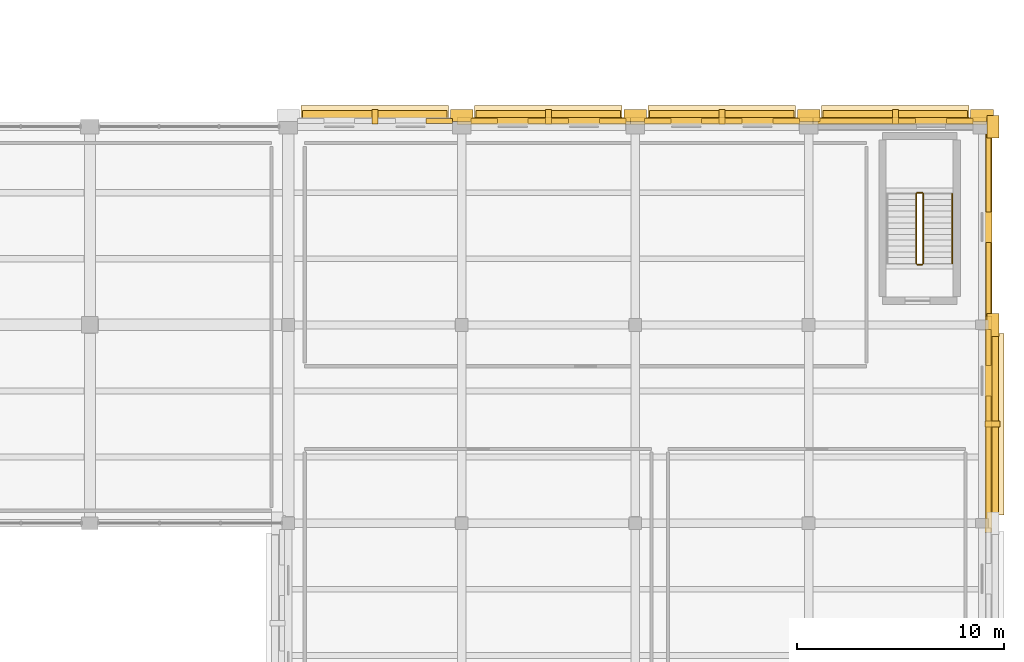
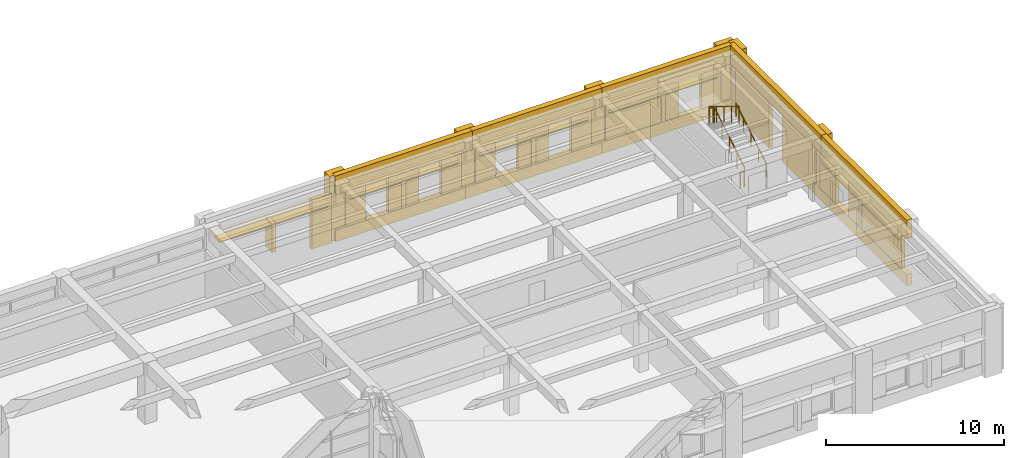
# One storey, part 49 of 49: 38 coverings, 5 railings, 5 shading devices.
"""IFC4 building model written with IfcOpenShell, lengths in metres."""

from ifc_helpers import new_model, si_unit, direction, frame, origin, origin_2d, place, context, subcontext, project, spatial, rectangle, circle, extrude, material, layer, layer_set, type_object, element, save


model = new_model("IFC4")

# Units and contexts
model_context = context("Model", 3, precision=1e-05, world=origin(), true_north=direction((0.0, 1.0)))
body_context = subcontext(model_context, "Body", "Model", "MODEL_VIEW")
ifc_project = project(units=[si_unit("LENGTHUNIT", "METRE"), si_unit("AREAUNIT", "SQUARE_METRE"), si_unit("VOLUMEUNIT", "CUBIC_METRE"), si_unit("PLANEANGLEUNIT", "RADIAN"), si_unit("MASSUNIT", "GRAM", prefix="KILO")], contexts=[model_context])

# Site, building, storey
site_placement = place(None, origin())
site = spatial("IfcSite", under=ifc_project, at=site_placement, CompositionType="ELEMENT")
building_placement = place(site_placement, origin())
building = spatial("IfcBuilding", under=site, at=building_placement, Name="Bempovik Park Faculty of Sciences", CompositionType="ELEMENT")
storey_placement = place(building_placement, frame((0.0, 0.0, 5.39990234375)))
storey = spatial("IfcBuildingStorey", under=building, at=storey_placement, Name="L01", CompositionType="ELEMENT", Elevation=5.39990234375)

# Coverings
ifc_material_1 = material(Name="Precast concrete C40/50", Category="concrete")
ifc_layer_1 = layer(ifc_material_1, 0.179931640625)
ifc_layer_set_1 = layer_set([ifc_layer_1], Name="Precast concrete C40/50")
covering_type_1 = type_object("IfcCoveringType", Name="CL-02 Classical Cornice Band 180mm", PredefinedType="CLADDING", material=ifc_layer_set_1)
for number, where, z_axis, x_axis, name in (
    (1, (141.0, 87.570068359375, 2.6103515625), (0.0, 0.0, 1.0), (1.0, 0.0, 0.0), "L01 Classical Stone Solar Window Hood EW-L01-6810"),
    (2, (149.39990234375, 87.570068359375, 2.6103515625), (0.0, 0.0, 1.0), (1.0, 0.0, 0.0), "L01 Classical Stone Solar Window Hood EW-L01-6823"),
    (3, (157.800048828125, 87.570068359375, 2.6103515625), (0.0, 0.0, 1.0), (1.0, 0.0, 0.0), "L01 Classical Stone Solar Window Hood EW-L01-6835"),
    (4, (166.199951171875, 87.570068359375, 2.6103515625), (0.0, 0.0, 1.0), (1.0, 0.0, 0.0), "L01 Classical Stone Solar Window Hood EW-L01-6847"),
):
    element("IfcCovering", number, at=place(storey_placement, frame(where, z_axis=z_axis, x_axis=x_axis)), inside=storey, type_object=covering_type_1, Name=name, PredefinedType="CLADDING", context=body_context, shape_type="SweptSolid", body=[
        extrude(rectangle(XDim=7.14599609375, YDim=0.919921875, at=origin_2d()), origin(), (0.0, 0.0, 1.0), 0.219970703125),
    ])
covering_1_placement = place(storey_placement, frame((171.0, 72.60009765625, 2.6103515625), z_axis=(0.0, 0.0, 1.0), x_axis=(1.0, 0.0, 0.0)))
element("IfcCovering", 5, at=covering_1_placement, inside=storey, type_object=covering_type_1, Name="L01 Classical Stone Solar Window Hood EW-L01-6870", PredefinedType="CLADDING", context=body_context, shape_type="SweptSolid", body=[
    extrude(rectangle(XDim=0.919921875, YDim=8.785888671875, at=origin_2d()), origin(), (0.0, 0.0, 1.0), 0.219970703125),
])
ifc_material_2 = material(Name="White reconstituted limestone precast C40/50", Category="masonry")
ifc_layer_2 = layer(ifc_material_2, 0.239990234375)
ifc_layer_set_2 = layer_set([ifc_layer_2], Name="White reconstituted limestone precast C40/50")
covering_type_2 = type_object("IfcCoveringType", Name="CL-03 Classical Fluted Limestone Pilaster 240mm", PredefinedType="CLADDING", material=ifc_layer_set_2)
covering_2_placement = place(storey_placement, frame((145.199951171875, 87.530029296875, 0.0), z_axis=(0.0, 0.0, 1.0), x_axis=(1.0, 0.0, 0.0)))
element("IfcCovering", 6, at=covering_2_placement, inside=storey, type_object=covering_type_2, Name="L01 Classical Fluted Stone Pilaster PIL-BA-L01-1452-875", PredefinedType="CLADDING", context=body_context, shape_type="SweptSolid", body=[
    extrude(rectangle(XDim=1.10009765625, YDim=0.580078125, at=origin_2d()), origin(), (0.0, 0.0, 1.0), 4.5),
])
covering_3_placement = place(storey_placement, frame((144.106201171875, 87.27001953125, 0.000244140625), z_axis=(0.0, 0.0, 1.0), x_axis=(1.0, 0.0, 0.0)))
element("IfcCovering", 7, at=covering_3_placement, inside=storey, type_object=covering_type_2, Name="L01 White Limestone Wall Cheek EW-L01-6810-4", PredefinedType="CLADDING", context=body_context, shape_type="SweptSolid", body=[
    extrude(rectangle(XDim=1.283935546875, YDim=0.239990234375, at=origin_2d()), origin(), (0.0, 0.0, 1.0), 3.3798828125),
])
covering_4_placement = place(storey_placement, frame((141.0, 87.47998046875, 0.7001953125), z_axis=(0.0, 0.0, 1.0), x_axis=(1.0, 0.0, 0.0)))
element("IfcCovering", 8, at=covering_4_placement, inside=storey, type_object=covering_type_2, Name="L01 Classical Vertical Stone Shading Fin EW-L01-6810", PredefinedType="CLADDING", context=body_context, shape_type="SweptSolid", body=[
    extrude(rectangle(XDim=0.280029296875, YDim=0.719970703125, at=origin_2d()), origin(), (0.0, 0.0, 1.0), 1.949951171875),
])
covering_5_placement = place(storey_placement, frame((149.39990234375, 87.280029296875, 3.22021484375), z_axis=(0.0, 0.0, 1.0), x_axis=(1.0, 0.0, 0.0)))
element("IfcCovering", 9, at=covering_5_placement, inside=storey, type_object=covering_type_2, Name="L01 Classical Limestone Spandrel Entablature EW-L01-6823", PredefinedType="CLADDING", context=body_context, shape_type="SweptSolid", body=[
    extrude(rectangle(XDim=8.845947265625, YDim=0.340087890625, at=origin_2d()), origin(), (0.0, 0.0, 1.0), 1.280029296875),
])
covering_6_placement = place(storey_placement, frame((149.39990234375, 87.280029296875, 0.0), z_axis=(0.0, 0.0, 1.0), x_axis=(1.0, 0.0, 0.0)))
element("IfcCovering", 10, at=covering_6_placement, inside=storey, type_object=covering_type_2, Name="L01 Classical Limestone Sill Dado EW-L01-6823", PredefinedType="CLADDING", context=body_context, shape_type="SweptSolid", body=[
    extrude(rectangle(XDim=8.845947265625, YDim=0.340087890625, at=origin_2d()), origin(), (0.0, 0.0, 1.0), 0.780029296875),
])
covering_7_placement = place(storey_placement, frame((153.60009765625, 87.530029296875, 0.0), z_axis=(0.0, 0.0, 1.0), x_axis=(1.0, 0.0, 0.0)))
element("IfcCovering", 11, at=covering_7_placement, inside=storey, type_object=covering_type_2, Name="L01 Classical Fluted Stone Pilaster PIL-BA-L01-1536-875", PredefinedType="CLADDING", context=body_context, shape_type="SweptSolid", body=[
    extrude(rectangle(XDim=1.10009765625, YDim=0.580078125, at=origin_2d()), origin(), (0.0, 0.0, 1.0), 4.5),
])
covering_8_placement = place(storey_placement, frame((146.2939453125, 87.27001953125, 0.000244140625), z_axis=(0.0, 0.0, 1.0), x_axis=(1.0, 0.0, 0.0)))
element("IfcCovering", 12, at=covering_8_placement, inside=storey, type_object=covering_type_2, Name="L01 White Limestone Wall Cheek EW-L01-6823-0", PredefinedType="CLADDING", context=body_context, shape_type="SweptSolid", body=[
    extrude(rectangle(XDim=1.283935546875, YDim=0.239990234375, at=origin_2d()), origin(), (0.0, 0.0, 1.0), 3.3798828125),
])
covering_9_placement = place(storey_placement, frame((149.39990234375, 87.27001953125, 0.000244140625), z_axis=(0.0, 0.0, 1.0), x_axis=(1.0, 0.0, 0.0)))
element("IfcCovering", 13, at=covering_9_placement, inside=storey, type_object=covering_type_2, Name="L01 White Limestone Wall Cheek EW-L01-6823-2", PredefinedType="CLADDING", context=body_context, shape_type="SweptSolid", body=[
    extrude(rectangle(XDim=1.96826171875, YDim=0.239990234375, at=origin_2d()), origin(), (0.0, 0.0, 1.0), 3.3798828125),
])
covering_10_placement = place(storey_placement, frame((152.506103515625, 87.27001953125, 0.000244140625), z_axis=(0.0, 0.0, 1.0), x_axis=(1.0, 0.0, 0.0)))
element("IfcCovering", 14, at=covering_10_placement, inside=storey, type_object=covering_type_2, Name="L01 White Limestone Wall Cheek EW-L01-6823-4", PredefinedType="CLADDING", context=body_context, shape_type="SweptSolid", body=[
    extrude(rectangle(XDim=1.283935546875, YDim=0.239990234375, at=origin_2d()), origin(), (0.0, 0.0, 1.0), 3.3798828125),
])
covering_11_placement = place(storey_placement, frame((149.39990234375, 87.47998046875, 0.7001953125), z_axis=(0.0, 0.0, 1.0), x_axis=(1.0, 0.0, 0.0)))
element("IfcCovering", 15, at=covering_11_placement, inside=storey, type_object=covering_type_2, Name="L01 Classical Vertical Stone Shading Fin EW-L01-6823", PredefinedType="CLADDING", context=body_context, shape_type="SweptSolid", body=[
    extrude(rectangle(XDim=0.280029296875, YDim=0.719970703125, at=origin_2d()), origin(), (0.0, 0.0, 1.0), 1.949951171875),
])
covering_12_placement = place(storey_placement, frame((157.800048828125, 87.280029296875, 3.22021484375), z_axis=(0.0, 0.0, 1.0), x_axis=(1.0, 0.0, 0.0)))
element("IfcCovering", 16, at=covering_12_placement, inside=storey, type_object=covering_type_2, Name="L01 Classical Limestone Spandrel Entablature EW-L01-6835", PredefinedType="CLADDING", context=body_context, shape_type="SweptSolid", body=[
    extrude(rectangle(XDim=8.845947265625, YDim=0.340087890625, at=origin_2d()), origin(), (0.0, 0.0, 1.0), 1.280029296875),
])
covering_13_placement = place(storey_placement, frame((157.800048828125, 87.280029296875, 0.0), z_axis=(0.0, 0.0, 1.0), x_axis=(1.0, 0.0, 0.0)))
element("IfcCovering", 17, at=covering_13_placement, inside=storey, type_object=covering_type_2, Name="L01 Classical Limestone Sill Dado EW-L01-6835", PredefinedType="CLADDING", context=body_context, shape_type="SweptSolid", body=[
    extrude(rectangle(XDim=8.845947265625, YDim=0.340087890625, at=origin_2d()), origin(), (0.0, 0.0, 1.0), 0.780029296875),
])
covering_14_placement = place(storey_placement, frame((162.0, 87.530029296875, 0.0), z_axis=(0.0, 0.0, 1.0), x_axis=(1.0, 0.0, 0.0)))
element("IfcCovering", 18, at=covering_14_placement, inside=storey, type_object=covering_type_2, Name="L01 Classical Fluted Stone Pilaster PIL-BA-L01-1620-875", PredefinedType="CLADDING", context=body_context, shape_type="SweptSolid", body=[
    extrude(rectangle(XDim=1.10009765625, YDim=0.580078125, at=origin_2d()), origin(), (0.0, 0.0, 1.0), 4.5),
])
covering_15_placement = place(storey_placement, frame((154.694091796875, 87.27001953125, 0.000244140625), z_axis=(0.0, 0.0, 1.0), x_axis=(1.0, 0.0, 0.0)))
element("IfcCovering", 19, at=covering_15_placement, inside=storey, type_object=covering_type_2, Name="L01 White Limestone Wall Cheek EW-L01-6835-0", PredefinedType="CLADDING", context=body_context, shape_type="SweptSolid", body=[
    extrude(rectangle(XDim=1.283935546875, YDim=0.239990234375, at=origin_2d()), origin(), (0.0, 0.0, 1.0), 3.3798828125),
])
covering_16_placement = place(storey_placement, frame((157.800048828125, 87.27001953125, 0.000244140625), z_axis=(0.0, 0.0, 1.0), x_axis=(1.0, 0.0, 0.0)))
element("IfcCovering", 20, at=covering_16_placement, inside=storey, type_object=covering_type_2, Name="L01 White Limestone Wall Cheek EW-L01-6835-2", PredefinedType="CLADDING", context=body_context, shape_type="SweptSolid", body=[
    extrude(rectangle(XDim=1.96826171875, YDim=0.239990234375, at=origin_2d()), origin(), (0.0, 0.0, 1.0), 3.3798828125),
])
covering_17_placement = place(storey_placement, frame((160.906005859375, 87.27001953125, 0.000244140625), z_axis=(0.0, 0.0, 1.0), x_axis=(1.0, 0.0, 0.0)))
element("IfcCovering", 21, at=covering_17_placement, inside=storey, type_object=covering_type_2, Name="L01 White Limestone Wall Cheek EW-L01-6835-4", PredefinedType="CLADDING", context=body_context, shape_type="SweptSolid", body=[
    extrude(rectangle(XDim=1.283935546875, YDim=0.239990234375, at=origin_2d()), origin(), (0.0, 0.0, 1.0), 3.3798828125),
])
covering_18_placement = place(storey_placement, frame((157.800048828125, 87.47998046875, 0.7001953125), z_axis=(0.0, 0.0, 1.0), x_axis=(1.0, 0.0, 0.0)))
element("IfcCovering", 22, at=covering_18_placement, inside=storey, type_object=covering_type_2, Name="L01 Classical Vertical Stone Shading Fin EW-L01-6835", PredefinedType="CLADDING", context=body_context, shape_type="SweptSolid", body=[
    extrude(rectangle(XDim=0.280029296875, YDim=0.719970703125, at=origin_2d()), origin(), (0.0, 0.0, 1.0), 1.949951171875),
])
covering_19_placement = place(storey_placement, frame((166.199951171875, 87.280029296875, 3.22021484375), z_axis=(0.0, 0.0, 1.0), x_axis=(1.0, 0.0, 0.0)))
element("IfcCovering", 23, at=covering_19_placement, inside=storey, type_object=covering_type_2, Name="L01 Classical Limestone Spandrel Entablature EW-L01-6847", PredefinedType="CLADDING", context=body_context, shape_type="SweptSolid", body=[
    extrude(rectangle(XDim=8.845947265625, YDim=0.340087890625, at=origin_2d()), origin(), (0.0, 0.0, 1.0), 1.280029296875),
])
covering_20_placement = place(storey_placement, frame((166.199951171875, 87.280029296875, 0.0), z_axis=(0.0, 0.0, 1.0), x_axis=(1.0, 0.0, 0.0)))
element("IfcCovering", 24, at=covering_20_placement, inside=storey, type_object=covering_type_2, Name="L01 Classical Limestone Sill Dado EW-L01-6847", PredefinedType="CLADDING", context=body_context, shape_type="SweptSolid", body=[
    extrude(rectangle(XDim=8.845947265625, YDim=0.340087890625, at=origin_2d()), origin(), (0.0, 0.0, 1.0), 0.780029296875),
])
covering_21_placement = place(storey_placement, frame((170.39990234375, 87.530029296875, 0.0), z_axis=(0.0, 0.0, 1.0), x_axis=(1.0, 0.0, 0.0)))
element("IfcCovering", 25, at=covering_21_placement, inside=storey, type_object=covering_type_2, Name="L01 Classical Fluted Stone Pilaster PIL-BA-L01-1704-875", PredefinedType="CLADDING", context=body_context, shape_type="SweptSolid", body=[
    extrude(rectangle(XDim=1.10009765625, YDim=0.580078125, at=origin_2d()), origin(), (0.0, 0.0, 1.0), 4.5),
])
covering_22_placement = place(storey_placement, frame((164.818115234375, 87.27001953125, 0.000244140625), z_axis=(0.0, 0.0, 1.0), x_axis=(1.0, 0.0, 0.0)))
element("IfcCovering", 26, at=covering_22_placement, inside=storey, type_object=covering_type_2, Name="L01 White Limestone Wall Cheek EW-L01-6847-0", PredefinedType="CLADDING", context=body_context, shape_type="SweptSolid", body=[
    extrude(rectangle(XDim=4.732177734375, YDim=0.239990234375, at=origin_2d()), origin(), (0.0, 0.0, 1.0), 3.3798828125),
])
covering_23_placement = place(storey_placement, frame((169.305908203125, 87.27001953125, 0.000244140625), z_axis=(0.0, 0.0, 1.0), x_axis=(1.0, 0.0, 0.0)))
element("IfcCovering", 27, at=covering_23_placement, inside=storey, type_object=covering_type_2, Name="L01 White Limestone Wall Cheek EW-L01-6847-2", PredefinedType="CLADDING", context=body_context, shape_type="SweptSolid", body=[
    extrude(rectangle(XDim=1.283935546875, YDim=0.239990234375, at=origin_2d()), origin(), (0.0, 0.0, 1.0), 3.3798828125),
])
covering_24_placement = place(storey_placement, frame((166.199951171875, 87.47998046875, 0.7001953125), z_axis=(0.0, 0.0, 1.0), x_axis=(1.0, 0.0, 0.0)))
element("IfcCovering", 28, at=covering_24_placement, inside=storey, type_object=covering_type_2, Name="L01 Classical Vertical Stone Shading Fin EW-L01-6847", PredefinedType="CLADDING", context=body_context, shape_type="SweptSolid", body=[
    extrude(rectangle(XDim=0.280029296875, YDim=0.719970703125, at=origin_2d()), origin(), (0.0, 0.0, 1.0), 1.949951171875),
])
covering_25_placement = place(storey_placement, frame((170.7099609375, 72.60009765625, 3.22021484375), z_axis=(0.0, 0.0, 1.0), x_axis=(1.0, 0.0, 0.0)))
element("IfcCovering", 29, at=covering_25_placement, inside=storey, type_object=covering_type_2, Name="L01 Classical Limestone Spandrel Entablature EW-L01-6870", PredefinedType="CLADDING", context=body_context, shape_type="SweptSolid", body=[
    extrude(rectangle(XDim=0.340087890625, YDim=10.486083984375, at=origin_2d()), origin(), (0.0, 0.0, 1.0), 1.280029296875),
])
covering_26_placement = place(storey_placement, frame((170.7099609375, 72.60009765625, 0.0), z_axis=(0.0, 0.0, 1.0), x_axis=(1.0, 0.0, 0.0)))
element("IfcCovering", 30, at=covering_26_placement, inside=storey, type_object=covering_type_2, Name="L01 Classical Limestone Sill Dado EW-L01-6870", PredefinedType="CLADDING", context=body_context, shape_type="SweptSolid", body=[
    extrude(rectangle(XDim=0.340087890625, YDim=10.486083984375, at=origin_2d()), origin(), (0.0, 0.0, 1.0), 0.780029296875),
])
covering_27_placement = place(storey_placement, frame((170.929931640625, 77.39990234375, 0.0), z_axis=(0.0, 0.0, 1.0), x_axis=(1.0, 0.0, 0.0)))
element("IfcCovering", 31, at=covering_27_placement, inside=storey, type_object=covering_type_2, Name="L01 Classical Fluted Stone Pilaster PIL-BA-L01-1709-774", PredefinedType="CLADDING", context=body_context, shape_type="SweptSolid", body=[
    extrude(rectangle(XDim=0.580078125, YDim=1.10009765625, at=origin_2d()), origin(), (0.0, 0.0, 1.0), 4.5),
])
covering_28_placement = place(storey_placement, frame((170.699951171875, 70.99658203125, 0.000244140625), z_axis=(0.0, 0.0, 1.0), x_axis=(1.0, 0.0, 0.0)))
element("IfcCovering", 32, at=covering_28_placement, inside=storey, type_object=covering_type_2, Name="L01 White Limestone Wall Cheek EW-L01-6870-0", PredefinedType="CLADDING", context=body_context, shape_type="SweptSolid", body=[
    extrude(rectangle(XDim=0.239990234375, YDim=5.92919921875, at=origin_2d()), origin(), (0.0, 0.0, 1.0), 3.3798828125),
])
covering_29_placement = place(storey_placement, frame((170.699951171875, 76.3046875, 0.000244140625), z_axis=(0.0, 0.0, 1.0), x_axis=(1.0, 0.0, 0.0)))
element("IfcCovering", 33, at=covering_29_placement, inside=storey, type_object=covering_type_2, Name="L01 White Limestone Wall Cheek EW-L01-6870-2", PredefinedType="CLADDING", context=body_context, shape_type="SweptSolid", body=[
    extrude(rectangle(XDim=0.239990234375, YDim=1.726806640625, at=origin_2d()), origin(), (0.0, 0.0, 1.0), 3.3798828125),
])
covering_30_placement = place(storey_placement, frame((170.909912109375, 72.60009765625, 0.7001953125), z_axis=(0.0, 0.0, 1.0), x_axis=(1.0, 0.0, 0.0)))
element("IfcCovering", 34, at=covering_30_placement, inside=storey, type_object=covering_type_2, Name="L01 Classical Vertical Stone Shading Fin EW-L01-6870", PredefinedType="CLADDING", context=body_context, shape_type="SweptSolid", body=[
    extrude(rectangle(XDim=0.719970703125, YDim=0.280029296875, at=origin_2d()), origin(), (0.0, 0.0, 1.0), 1.949951171875),
])
covering_31_placement = place(storey_placement, frame((170.7099609375, 82.139892578125, 3.22021484375), z_axis=(0.0, 0.0, 1.0), x_axis=(1.0, 0.0, 0.0)))
element("IfcCovering", 35, at=covering_31_placement, inside=storey, type_object=covering_type_2, Name="L01 Classical Limestone Spandrel Entablature EW-L01-6880", PredefinedType="CLADDING", context=body_context, shape_type="SweptSolid", body=[
    extrude(rectangle(XDim=0.340087890625, YDim=10.365966796875, at=origin_2d()), origin(), (0.0, 0.0, 1.0), 1.280029296875),
])
covering_32_placement = place(storey_placement, frame((170.929931640625, 87.0, 0.0), z_axis=(0.0, 0.0, 1.0), x_axis=(1.0, 0.0, 0.0)))
element("IfcCovering", 36, at=covering_32_placement, inside=storey, type_object=covering_type_2, Name="L01 Classical Fluted Stone Pilaster PIL-BA-L01-1709-870", PredefinedType="CLADDING", context=body_context, shape_type="SweptSolid", body=[
    extrude(rectangle(XDim=0.580078125, YDim=1.10009765625, at=origin_2d()), origin(), (0.0, 0.0, 1.0), 4.5),
])
for number, where, z_axis, x_axis, name in (
    (37, (170.699951171875, 79.51611328125, 0.000244140625), (0.0, 0.0, 1.0), (1.0, 0.0, 0.0), "L01 Stairwell White Limestone Cheek EW-L01-6880-1"),
    (38, (170.699951171875, 84.763916015625, 0.000244140625), (0.0, 0.0, 1.0), (1.0, 0.0, 0.0), "L01 Stairwell White Limestone Cheek EW-L01-6880-2"),
):
    element("IfcCovering", number, at=place(storey_placement, frame(where, z_axis=z_axis, x_axis=x_axis)), inside=storey, type_object=covering_type_2, Name=name, PredefinedType="CLADDING", context=body_context, shape_type="SweptSolid", body=[
        extrude(rectangle(XDim=0.239990234375, YDim=3.76806640625, at=origin_2d()), origin(), (0.0, 0.0, 1.0), 3.3798828125),
    ])

# Railings
ifc_material_3 = material(Name="Anodised architectural bronze")
railing_type_1 = type_object("IfcRailingType", Name="GR-01 Guardrail 1120mm", PredefinedType="GUARDRAIL", material=ifc_material_3)
railing_1_placement = place(storey_placement, frame((167.550048828125, 80.375, 0.173095703125)))
element("IfcRailing", 39, at=railing_1_placement, inside=storey, type_object=railing_type_1, Name="L01 ST-6 Stair Guard 1", PredefinedType="GUARDRAIL", context=body_context, shape_type="SweptSolid", body=[
    extrude(circle(Radius=0.02392578125, at=origin_2d()), frame((0.0, 0.0, 1.09619140625), z_axis=(0.0, 0.851660431972, 0.524093988338), x_axis=(-1.0, 0.0, 0.0)), (0.0, 0.0, 1.0), 3.962890625),
    extrude(circle(Radius=0.02099609375, at=origin_2d()), origin(), (0.0, 0.0, 1.0), 1.072021484375),
    extrude(circle(Radius=0.02099609375, at=origin_2d()), frame((0.0, 0.84375, 0.519287109375)), (0.0, 0.0, 1.0), 1.072021484375),
    extrude(circle(Radius=0.02099609375, at=origin_2d()), frame((0.0, 1.6875, 1.03857421875)), (0.0, 0.0, 1.0), 1.072021484375),
    extrude(circle(Radius=0.02099609375, at=origin_2d()), frame((0.0, 2.53125, 1.5576171875)), (0.0, 0.0, 1.0), 1.072021484375),
    extrude(circle(Radius=0.02099609375, at=origin_2d()), frame((0.0, 3.375, 2.076904296875)), (0.0, 0.0, 1.0), 1.072021484375),
])
railing_2_placement = place(storey_placement, frame((167.5, 83.800048828125, 2.25)))
element("IfcRailing", 40, at=railing_2_placement, inside=storey, type_object=railing_type_1, Name="L01 ST-6 Stair Guard 2", PredefinedType="GUARDRAIL", context=body_context, shape_type="SweptSolid", body=[
    extrude(circle(Radius=0.02392578125, at=origin_2d()), frame((0.0, 0.0, 1.09619140625), z_axis=(-1.0, 0.0, 0.0), x_axis=(0.0, -1.0, 0.0)), (0.0, 0.0, 1.0), 0.25),
    extrude(circle(Radius=0.02099609375, at=origin_2d()), origin(), (0.0, 0.0, 1.0), 1.072021484375),
    extrude(circle(Radius=0.02099609375, at=origin_2d()), frame((-0.25, 0.0, 0.0)), (0.0, 0.0, 1.0), 1.072021484375),
])
railing_3_placement = place(storey_placement, frame((167.199951171875, 83.75, 2.423095703125)))
element("IfcRailing", 41, at=railing_3_placement, inside=storey, type_object=railing_type_1, Name="L01 ST-6 Stair Guard 3", PredefinedType="GUARDRAIL", context=body_context, shape_type="SweptSolid", body=[
    extrude(circle(Radius=0.02392578125, at=origin_2d()), frame((0.0, 0.0, 1.09619140625), z_axis=(0.0, -0.851660431972, 0.524093988338), x_axis=(1.0, 0.0, 0.0)), (0.0, 0.0, 1.0), 3.962890625),
    extrude(circle(Radius=0.02099609375, at=origin_2d()), origin(), (0.0, 0.0, 1.0), 1.072021484375),
    extrude(circle(Radius=0.02099609375, at=origin_2d()), frame((0.0, -0.84375, 0.519287109375)), (0.0, 0.0, 1.0), 1.072021484375),
    extrude(circle(Radius=0.02099609375, at=origin_2d()), frame((0.0, -1.6875, 1.03857421875)), (0.0, 0.0, 1.0), 1.072021484375),
    extrude(circle(Radius=0.02099609375, at=origin_2d()), frame((0.0, -2.53125, 1.5576171875)), (0.0, 0.0, 1.0), 1.072021484375),
    extrude(circle(Radius=0.02099609375, at=origin_2d()), frame((0.0, -3.375, 2.076904296875)), (0.0, 0.0, 1.0), 1.072021484375),
])
railing_4_placement = place(storey_placement, frame((167.5, 80.324951171875, 0.0)))
element("IfcRailing", 42, at=railing_4_placement, inside=storey, type_object=railing_type_1, Name="L01 ST-6 Stair Guard 4", PredefinedType="GUARDRAIL", context=body_context, shape_type="SweptSolid", body=[
    extrude(circle(Radius=0.02392578125, at=origin_2d()), frame((0.0, 0.0, 1.09619140625), z_axis=(-1.0, 0.0, 0.0), x_axis=(0.0, -1.0, 0.0)), (0.0, 0.0, 1.0), 0.25),
    extrude(circle(Radius=0.02099609375, at=origin_2d()), origin(), (0.0, 0.0, 1.0), 1.072021484375),
    extrude(circle(Radius=0.02099609375, at=origin_2d()), frame((-0.25, 0.0, 0.0)), (0.0, 0.0, 1.0), 1.072021484375),
])
railing_type_2 = type_object("IfcRailingType", Name="HR-01 Wall Handrail 900mm", PredefinedType="HANDRAIL", material=ifc_material_3)
railing_5_placement = place(storey_placement, frame((168.949951171875, 80.375, 0.173095703125)))
element("IfcRailing", 43, at=railing_5_placement, inside=storey, type_object=railing_type_2, Name="L01 ST-6 Stair Handrail 1", PredefinedType="HANDRAIL", context=body_context, shape_type="SweptSolid", body=[
    extrude(circle(Radius=0.02392578125, at=origin_2d()), frame((0.0, 0.0, 0.8759765625), z_axis=(0.0, 0.851660431972, 0.524093988338), x_axis=(-1.0, 0.0, 0.0)), (0.0, 0.0, 1.0), 3.962890625),
    extrude(circle(Radius=0.02099609375, at=origin_2d()), origin(), (0.0, 0.0, 1.0), 0.851806640625),
    extrude(circle(Radius=0.02099609375, at=origin_2d()), frame((0.0, 0.84375, 0.519287109375)), (0.0, 0.0, 1.0), 0.851806640625),
    extrude(circle(Radius=0.02099609375, at=origin_2d()), frame((0.0, 1.6875, 1.03857421875)), (0.0, 0.0, 1.0), 0.851806640625),
    extrude(circle(Radius=0.02099609375, at=origin_2d()), frame((0.0, 2.53125, 1.5576171875)), (0.0, 0.0, 1.0), 0.851806640625),
    extrude(circle(Radius=0.02099609375, at=origin_2d()), frame((0.0, 3.375, 2.076904296875)), (0.0, 0.0, 1.0), 0.851806640625),
])

# Shading devices
ifc_layer_3 = layer(ifc_material_3, 0.06005859375)
ifc_layer_set_3 = layer_set([ifc_layer_3], Name="Anodised architectural bronze")
shading_device_type = type_object("IfcShadingDeviceType", Name="SH-01 Bronze Brise-Soleil Fin", PredefinedType="USERDEFINED", material=ifc_layer_set_3)
for number, where, z_axis, x_axis, name in (
    (44, (141.0, 87.449951171875, 2.550048828125), (0.0, 0.0, 1.0), (1.0, 0.0, 0.0), "L01 Equatorial Bronze Brise-Soleil EW-L01-6810"),
    (45, (149.39990234375, 87.449951171875, 2.550048828125), (0.0, 0.0, 1.0), (1.0, 0.0, 0.0), "L01 Equatorial Bronze Brise-Soleil EW-L01-6823"),
    (46, (157.800048828125, 87.449951171875, 2.550048828125), (0.0, 0.0, 1.0), (1.0, 0.0, 0.0), "L01 Equatorial Bronze Brise-Soleil EW-L01-6835"),
    (47, (166.199951171875, 87.449951171875, 2.550048828125), (0.0, 0.0, 1.0), (1.0, 0.0, 0.0), "L01 Equatorial Bronze Brise-Soleil EW-L01-6847"),
):
    element("IfcShadingDevice", number, at=place(storey_placement, frame(where, z_axis=z_axis, x_axis=x_axis)), inside=storey, type_object=shading_device_type, Name=name, ObjectType="BRISE SOLEIL", PredefinedType="USERDEFINED", context=body_context, shape_type="SweptSolid", body=[
        extrude(rectangle(XDim=6.99609375, YDim=0.64990234375, at=origin_2d()), origin(), (0.0, 0.0, 1.0), 0.06005859375),
    ])
shading_device_placement = place(storey_placement, frame((170.8798828125, 72.60009765625, 2.550048828125), z_axis=(0.0, 0.0, 1.0), x_axis=(1.0, 0.0, 0.0)))
element("IfcShadingDevice", 48, at=shading_device_placement, inside=storey, type_object=shading_device_type, Name="L01 Equatorial Bronze Brise-Soleil EW-L01-6870", ObjectType="BRISE SOLEIL", PredefinedType="USERDEFINED", context=body_context, shape_type="SweptSolid", body=[
    extrude(rectangle(XDim=0.64990234375, YDim=8.635986328125, at=origin_2d()), origin(), (0.0, 0.0, 1.0), 0.06005859375),
])

save(model, "model.ifc")
